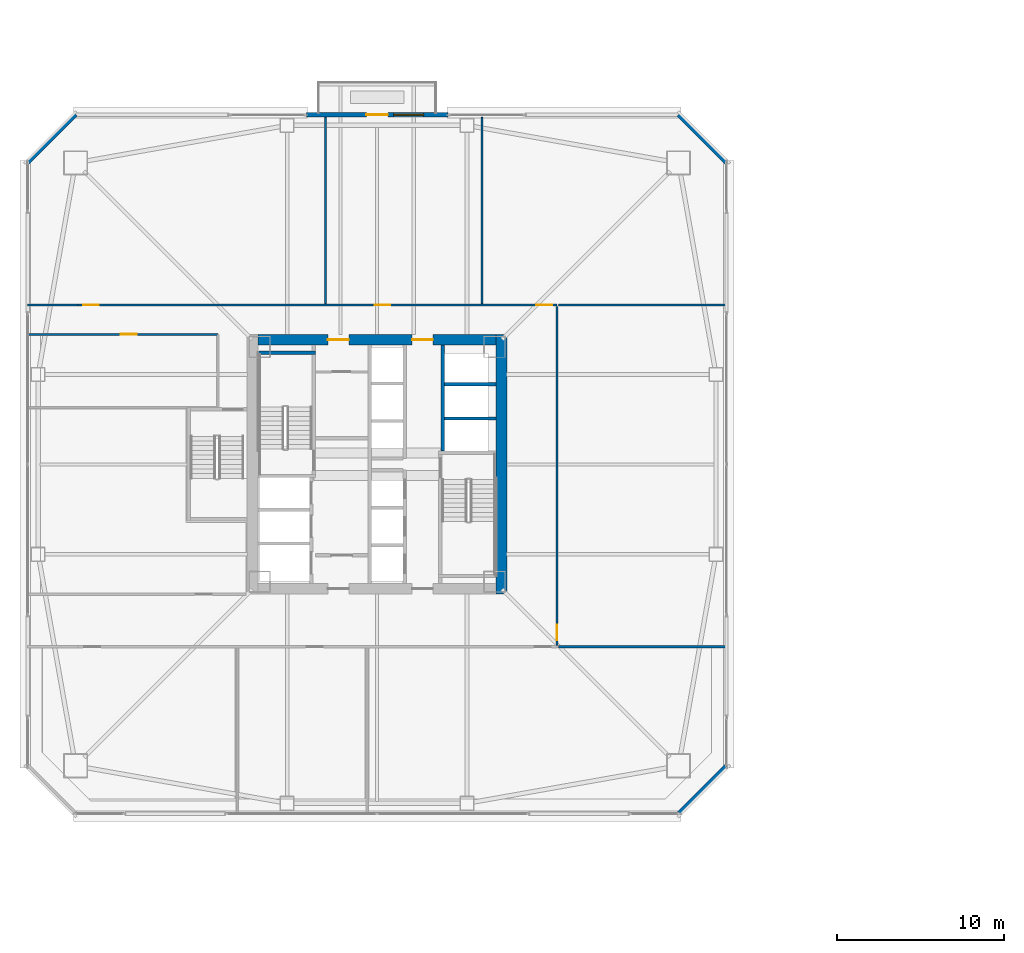
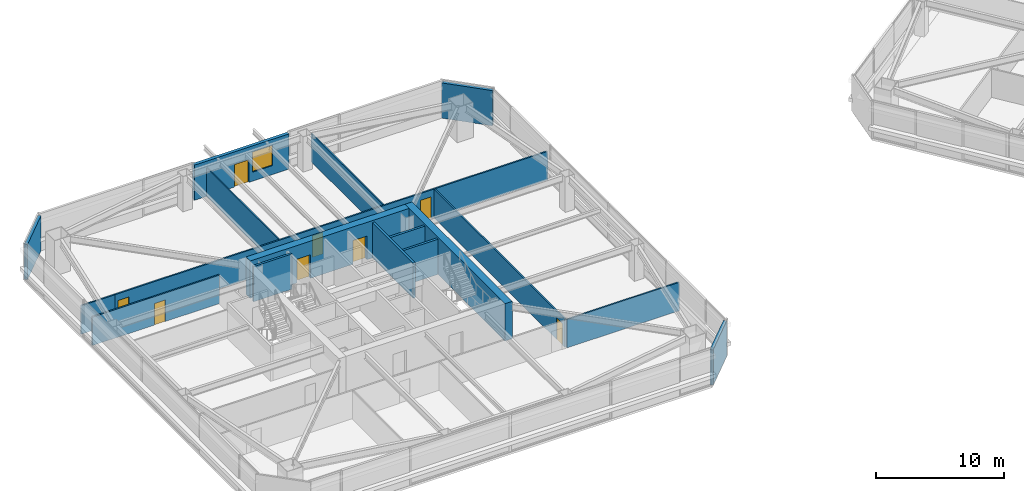
# One storey, part 39 of 48: 18 walls, 8 doors, 1 window, 9 openings.
"""IFC4 building model written with IfcOpenShell, lengths in metres."""

from ifc_helpers import new_model, si_unit, direction, frame, frame_2d, origin, place, context, subcontext, project, spatial, rectangle, extrude, material, layer, layer_set, type_object, element, fill, save


model = new_model("IFC4")

# Units and contexts
model_context = context("Model", 3, precision=1e-05, world=origin(), true_north=direction((0.0, 1.0)))
body_context = subcontext(model_context, "Body", "Model", "MODEL_VIEW")
ifc_project = project(units=[si_unit("LENGTHUNIT", "METRE"), si_unit("AREAUNIT", "SQUARE_METRE"), si_unit("VOLUMEUNIT", "CUBIC_METRE"), si_unit("PLANEANGLEUNIT", "RADIAN"), si_unit("MASSUNIT", "GRAM", prefix="KILO")], contexts=[model_context])

# Site, building, storey
site_placement = place(None, origin())
site = spatial("IfcSite", under=ifc_project, at=site_placement, CompositionType="ELEMENT")
building_placement = place(site_placement, origin())
building = spatial("IfcBuilding", under=site, at=building_placement, Name="Tashvorn Skyway Center", CompositionType="ELEMENT")
storey_placement = place(building_placement, frame((0.0, 0.0, 77.85009765625)))
storey = spatial("IfcBuildingStorey", under=building, at=storey_placement, Name="L20", CompositionType="ELEMENT", Elevation=77.85009765625)

# Wall
ifc_material_1 = material(Name="Concrete C60/75", Category="concrete")
ifc_layer_1 = layer(ifc_material_1, 0.64990234375)
ifc_layer_set_1 = layer_set([ifc_layer_1], Name="Concrete C60/75")
wall_type_1 = type_object("IfcWallType", Name="WALL-CORE-650", PredefinedType="SHEAR", material=ifc_layer_set_1)
wall_1_placement = place(storey_placement, frame((49.47509765625, 39.800048828125, 0.0), z_axis=(0.0, 0.0, 1.0), x_axis=(0.0, -1.0, 0.0)))
element("IfcWall", 1, at=wall_1_placement, inside=storey, type_object=wall_type_1, Name="Tower 1 L20 East Core Shear Wall", PredefinedType="SHEAR", context=body_context, shape_type="SweptSolid", body=[
    extrude(rectangle(XDim=15.60009765625, YDim=0.64990234375, at=frame_2d((7.800048828125, 0.0))), origin(), (0.0, 0.0, 1.0), 3.5498046875),
])

# Wall, openings, doors
wall_2_placement = place(storey_placement, frame((34.85009765625, 39.47509765625, 0.0), z_axis=(0.0, 0.0, 1.0), x_axis=(1.0, 0.0, 0.0)))
wall_2 = element("IfcWall", 2, at=wall_2_placement, inside=storey, type_object=wall_type_1, Name="Tower 1 L20 North Core Shear Wall", PredefinedType="SHEAR", context=body_context, shape_type="SweptSolid", body=[
    extrude(rectangle(XDim=14.2998046875, YDim=0.64990234375, at=frame_2d((7.14990234375, 0.0))), origin(), (0.0, 0.0, 1.0), 3.5498046875),
])
opening_1_placement = place(wall_2_placement, frame((4.199951171875, 0.0, 0.0)))
opening_1 = element("IfcOpeningElement", 3, at=opening_1_placement, cuts=wall_2, Name="Opening D-FFL-1250", PredefinedType="OPENING", context=body_context, shape_type="SweptSolid", body=[
    extrude(rectangle(XDim=1.25, YDim=2.25, at=frame_2d((0.625, 1.125))), frame((0.0, 0.3349609375, 0.0), z_axis=(0.0, -1.0, 0.0), x_axis=(1.0, 0.0, 0.0)), (0.0, 0.0, 1.0), 0.669921875),
])
opening_2_placement = place(wall_2_placement, frame((9.25, 0.0, 0.0)))
opening_2 = element("IfcOpeningElement", 4, at=opening_2_placement, cuts=wall_2, Name="Opening D-FFL-1250", PredefinedType="OPENING", context=body_context, shape_type="SweptSolid", body=[
    extrude(rectangle(XDim=1.25, YDim=2.25, at=frame_2d((0.625, 1.125))), frame((0.0, 0.3349609375, 0.0), z_axis=(0.0, -1.0, 0.0), x_axis=(1.0, 0.0, 0.0)), (0.0, 0.0, 1.0), 0.669921875),
])
ifc_material_2 = material(Name="Hollow galvanized steel fire door assembly", Category="steel")
door_type_1 = type_object("IfcDoorType", Name="DOOR-FFL-1250", OperationType="NOTDEFINED", PredefinedType="DOOR", material=ifc_material_2)
door_1_placement = place(opening_1_placement, origin())
door_1 = element("IfcDoor", 5, at=door_1_placement, inside=storey, type_object=door_type_1, Name="Tower 1 L20 Core North Service Lobby Door", OperationType="SINGLE_SWING_LEFT", OverallHeight=2.25, OverallWidth=1.25, PredefinedType="DOOR", context=body_context, shape_type="SweptSolid", body=[
    extrude(rectangle(XDim=1.25, YDim=2.25, at=frame_2d((0.625, 1.125))), frame((0.0, 0.02490234375, 0.0), z_axis=(0.0, -1.0, 0.0), x_axis=(1.0, 0.0, 0.0)), (0.0, 0.0, 1.0), 0.050048828125),
])
fill(opening_1, door_1)
door_2_placement = place(opening_2_placement, origin())
door_2 = element("IfcDoor", 6, at=door_2_placement, inside=storey, type_object=door_type_1, Name="Tower 1 L20 Core North Lift Lobby Door", OperationType="SINGLE_SWING_RIGHT", OverallHeight=2.25, OverallWidth=1.25, PredefinedType="DOOR", context=body_context, shape_type="SweptSolid", body=[
    extrude(rectangle(XDim=1.25, YDim=2.25, at=frame_2d((0.625, 1.125))), frame((0.0, 0.02490234375, 0.0), z_axis=(0.0, -1.0, 0.0), x_axis=(1.0, 0.0, 0.0)), (0.0, 0.0, 1.0), 0.050048828125),
])
fill(opening_2, door_2)

# Wall, openings, door, window
ifc_material_3 = material(Name="Precast concrete C40/50", Category="concrete")
ifc_layer_2 = layer(ifc_material_3, 0.280029296875)
ifc_layer_set_2 = layer_set([ifc_layer_2], Name="Precast concrete C40/50")
wall_type_2 = type_object("IfcWallType", Name="WALL-EXT-280", PredefinedType="SOLIDWALL", material=ifc_layer_set_2)
wall_3_placement = place(storey_placement, frame((37.75, 52.97998046875, 0.0), z_axis=(0.0, 0.0, 1.0), x_axis=(1.0, 0.0, 0.0)))
wall_3 = element("IfcWall", 7, at=wall_3_placement, inside=storey, type_object=wall_type_2, Name="Tower 1 L20 North Terrace Portal Wall", PredefinedType="SOLIDWALL", context=body_context, shape_type="SweptSolid", body=[
    extrude(rectangle(XDim=8.5, YDim=0.280029296875, at=frame_2d((4.25, 0.0))), origin(), (0.0, 0.0, 1.0), 3.349853515625),
])
opening_3_placement = place(wall_3_placement, frame((3.60009765625, 0.0, 0.0)))
opening_3 = element("IfcOpeningElement", 8, at=opening_3_placement, cuts=wall_3, Name="Opening D-TER-1300", PredefinedType="OPENING", context=body_context, shape_type="SweptSolid", body=[
    extrude(rectangle(XDim=1.300048828125, YDim=2.14990234375, at=frame_2d((0.64990234375, 1.074951171875))), frame((0.0, 0.14990234375, 0.0), z_axis=(0.0, -1.0, 0.0), x_axis=(1.0, 0.0, 0.0)), (0.0, 0.0, 1.0), 0.300048828125),
])
opening_4_placement = place(wall_3_placement, frame((5.239990234375, 0.0, 0.85009765625)))
opening_4 = element("IfcOpeningElement", 9, at=opening_4_placement, cuts=wall_3, Name="Opening WIN-1800", PredefinedType="OPENING", context=body_context, shape_type="SweptSolid", body=[
    extrude(rectangle(XDim=1.800048828125, YDim=1.919921875, at=frame_2d((0.89990234375, 0.9599609375))), frame((0.0, 0.14990234375, 0.0), z_axis=(0.0, -1.0, 0.0), x_axis=(1.0, 0.0, 0.0)), (0.0, 0.0, 1.0), 0.300048828125),
])
ifc_material_4 = material(Name="Thermally broken bronze-anodized aluminium 6063-T6", Category="aluminium")
door_type_2 = type_object("IfcDoorType", Name="DOOR-TERR-1300", OperationType="NOTDEFINED", PredefinedType="DOOR", material=ifc_material_4)
door_3_placement = place(opening_3_placement, origin())
door_3 = element("IfcDoor", 10, at=door_3_placement, inside=storey, type_object=door_type_2, Name="Tower 1 L20 Terrace Access Door", OperationType="SINGLE_SWING_RIGHT", OverallHeight=2.14990234375, OverallWidth=1.300048828125, PredefinedType="DOOR", context=body_context, shape_type="SweptSolid", body=[
    extrude(rectangle(XDim=1.300048828125, YDim=2.14990234375, at=frame_2d((0.64990234375, 1.074951171875))), frame((0.0, 0.02490234375, 0.0), z_axis=(0.0, -1.0, 0.0), x_axis=(1.0, 0.0, 0.0)), (0.0, 0.0, 1.0), 0.050048828125),
])
fill(opening_3, door_3)
ifc_material_5 = material(Name="Low-E solar-control double insulating safety glass", Category="glass")
window_type = type_object("IfcWindowType", Name="WIN-TERR-1800", PartitioningType="SINGLE_PANEL", PredefinedType="WINDOW", material=ifc_material_5)
window_placement = place(opening_4_placement, origin())
window = element("IfcWindow", 11, at=window_placement, inside=storey, type_object=window_type, Name="Tower 1 L20 Terrace Window", OverallHeight=1.919921875, OverallWidth=1.800048828125, PartitioningType="SINGLE_PANEL", PredefinedType="WINDOW", context=body_context, shape_type="SweptSolid", body=[
    extrude(rectangle(XDim=1.800048828125, YDim=1.919921875, at=frame_2d((0.89990234375, 0.9599609375))), frame((0.0, 0.030029296875, 0.0), z_axis=(0.0, -1.0, 0.0), x_axis=(1.0, 0.0, 0.0)), (0.0, 0.0, 1.0), 0.06005859375),
])
fill(opening_4, window)

# Walls
for number, where, z_axis, x_axis, name in (
    (12, (21.0, 50.10009765625, 0.0), (0.0, 0.0, 1.0), (0.707106781187, 0.707106781187, 0.0), "Tower 1 L20 NW Precast Chamfer Wall"),
    (13, (60.10009765625, 53.0, 0.0), (0.0, 0.0, 1.0), (0.707106781187, -0.707106781187, 0.0), "Tower 1 L20 NE Precast Chamfer Wall"),
    (14, (63.0, 13.89990234375, 0.0), (0.0, 0.0, 1.0), (-0.707106781187, -0.707106781187, 0.0), "Tower 1 L20 SE Precast Chamfer Wall"),
):
    element("IfcWall", number, at=place(storey_placement, frame(where, z_axis=z_axis, x_axis=x_axis)), inside=storey, type_object=wall_type_2, Name=name, PredefinedType="SOLIDWALL", context=body_context, shape_type="SweptSolid", body=[
        extrude(rectangle(XDim=4.10107421875, YDim=0.280029296875, at=frame_2d((2.050537109375, 0.0))), origin(), (0.0, 0.0, 1.0), 3.349853515625),
    ])
ifc_material_6 = material(Name="Gypsum board on cold-formed steel stud framing", Category="steel")
ifc_layer_3 = layer(ifc_material_6, 0.110107421875)
ifc_layer_set_3 = layer_set([ifc_layer_3], Name="Gypsum board on cold-formed steel stud framing")
wall_type_3 = type_object("IfcWallType", Name="WALL-PART-110", PredefinedType="PARTITIONING", material=ifc_layer_set_3)
for number, where, z_axis, x_axis, name in (
    (15, (38.89990234375, 41.64990234375, 0.0), (0.0, 0.0, 1.0), (0.0, 1.0, 0.0), "Tower 1 L20 North Suite Partition 1"),
    (16, (48.300048828125, 41.64990234375, 0.0), (0.0, 0.0, 1.0), (0.0, 1.0, 0.0), "Tower 1 L20 North Suite Partition 2"),
):
    element("IfcWall", number, at=place(storey_placement, frame(where, z_axis=z_axis, x_axis=x_axis)), inside=storey, type_object=wall_type_3, Name=name, PredefinedType="PARTITIONING", context=body_context, shape_type="SweptSolid", body=[
        extrude(rectangle(XDim=11.18017578125, YDim=0.110107421875, at=frame_2d((5.590087890625, 0.0))), origin(), (0.0, 0.0, 1.0), 2.702880859375),
    ])

# Wall, openings, doors
ifc_layer_4 = layer(ifc_material_6, 0.135009765625)
ifc_layer_set_4 = layer_set([ifc_layer_4], Name="Gypsum board on cold-formed steel stud framing")
wall_type_4 = type_object("IfcWallType", Name="WALL-PART-135", PredefinedType="PARTITIONING", material=ifc_layer_set_4)
wall_4_placement = place(storey_placement, frame((24.050048828125, 41.570068359375, 0.0), z_axis=(0.0, 0.0, 1.0), x_axis=(1.0, 0.0, 0.0)))
wall_4 = element("IfcWall", 17, at=wall_4_placement, inside=storey, type_object=wall_type_4, Name="Tower 1 L20 North Suite Wall", PredefinedType="PARTITIONING", context=body_context, shape_type="SweptSolid", body=[
    extrude(rectangle(XDim=28.75, YDim=0.135009765625, at=frame_2d((14.375, 0.0))), origin(), (0.0, 0.0, 1.0), 2.702880859375),
])
opening_5_placement = place(wall_4_placement, frame((0.300048828125, 0.0, 0.0)))
opening_5 = element("IfcOpeningElement", 18, at=opening_5_placement, cuts=wall_4, Name="Opening D-INT-950", PredefinedType="OPENING", context=body_context, shape_type="SweptSolid", body=[
    extrude(rectangle(XDim=0.949951171875, YDim=2.050048828125, at=frame_2d((0.47509765625, 1.02490234375))), frame((0.0, 0.077392578125, 0.0), z_axis=(0.0, -1.0, 0.0), x_axis=(1.0, 0.0, 0.0)), (0.0, 0.0, 1.0), 0.155029296875),
])
opening_6_placement = place(wall_4_placement, frame((17.793212890625, 0.0, 0.0)))
opening_6 = element("IfcOpeningElement", 19, at=opening_6_placement, cuts=wall_4, Name="Opening D-INT-950", PredefinedType="OPENING", context=body_context, shape_type="SweptSolid", body=[
    extrude(rectangle(XDim=0.949951171875, YDim=2.050048828125, at=frame_2d((0.47509765625, 1.02490234375))), frame((0.0, 0.077392578125, 0.0), z_axis=(0.0, -1.0, 0.0), x_axis=(1.0, 0.0, 0.0)), (0.0, 0.0, 1.0), 0.155029296875),
])
opening_7_placement = place(wall_4_placement, frame((27.5, 0.0, 0.0)))
opening_7 = element("IfcOpeningElement", 20, at=opening_7_placement, cuts=wall_4, Name="Opening D-INT-950", PredefinedType="OPENING", context=body_context, shape_type="SweptSolid", body=[
    extrude(rectangle(XDim=0.949951171875, YDim=2.050048828125, at=frame_2d((0.47509765625, 1.02490234375))), frame((0.0, 0.077392578125, 0.0), z_axis=(0.0, -1.0, 0.0), x_axis=(1.0, 0.0, 0.0)), (0.0, 0.0, 1.0), 0.155029296875),
])
ifc_material_7 = material(Name="Solid-core architectural oak veneer door")
door_type_3 = type_object("IfcDoorType", Name="DOOR-INT-950", OperationType="NOTDEFINED", PredefinedType="DOOR", material=ifc_material_7)
door_4_placement = place(opening_5_placement, origin())
door_4 = element("IfcDoor", 21, at=door_4_placement, inside=storey, type_object=door_type_3, Name="Tower 1 L20 Operations Control Room Door", OperationType="SINGLE_SWING_LEFT", OverallHeight=2.050048828125, OverallWidth=0.949951171875, PredefinedType="DOOR", context=body_context, shape_type="SweptSolid", body=[
    extrude(rectangle(XDim=0.949951171875, YDim=2.050048828125, at=frame_2d((0.47509765625, 1.02490234375))), frame((0.0, 0.02490234375, 0.0), z_axis=(0.0, -1.0, 0.0), x_axis=(1.0, 0.0, 0.0)), (0.0, 0.0, 1.0), 0.050048828125),
])
fill(opening_5, door_4)
door_5_placement = place(opening_6_placement, origin())
door_5 = element("IfcDoor", 22, at=door_5_placement, inside=storey, type_object=door_type_3, Name="Tower 1 L20 Operations Control Room Door", OperationType="SINGLE_SWING_RIGHT", OverallHeight=2.050048828125, OverallWidth=0.949951171875, PredefinedType="DOOR", context=body_context, shape_type="SweptSolid", body=[
    extrude(rectangle(XDim=0.949951171875, YDim=2.050048828125, at=frame_2d((0.47509765625, 1.02490234375))), frame((0.0, 0.02490234375, 0.0), z_axis=(0.0, -1.0, 0.0), x_axis=(1.0, 0.0, 0.0)), (0.0, 0.0, 1.0), 0.050048828125),
])
fill(opening_6, door_5)
door_6_placement = place(opening_7_placement, origin())
door_6 = element("IfcDoor", 23, at=door_6_placement, inside=storey, type_object=door_type_3, Name="Tower 1 L20 Corporate Office Door", OperationType="SINGLE_SWING_LEFT", OverallHeight=2.050048828125, OverallWidth=0.949951171875, PredefinedType="DOOR", context=body_context, shape_type="SweptSolid", body=[
    extrude(rectangle(XDim=0.949951171875, YDim=2.050048828125, at=frame_2d((0.47509765625, 1.02490234375))), frame((0.0, 0.02490234375, 0.0), z_axis=(0.0, -1.0, 0.0), x_axis=(1.0, 0.0, 0.0)), (0.0, 0.0, 1.0), 0.050048828125),
])
fill(opening_7, door_6)

# Wall
wall_5_placement = place(storey_placement, frame((21.02001953125, 41.570068359375, 0.0), z_axis=(0.0, 0.0, 1.0), x_axis=(1.0, 0.0, 0.0)))
element("IfcWall", 24, at=wall_5_placement, inside=storey, type_object=wall_type_4, Name="Tower 1 L20 North-West Suite South Wall", PredefinedType="PARTITIONING", context=body_context, shape_type="SweptSolid", body=[
    extrude(rectangle(XDim=3.030029296875, YDim=0.135009765625, at=frame_2d((1.51513671875, 0.0))), origin(), (0.0, 0.0, 1.0), 2.702880859375),
])

# Wall, opening, door
wall_6_placement = place(storey_placement, frame((52.800048828125, 41.489990234375, 0.0), z_axis=(0.0, 0.0, 1.0), x_axis=(0.0, -1.0, 0.0)))
wall_6 = element("IfcWall", 25, at=wall_6_placement, inside=storey, type_object=wall_type_4, Name="Tower 1 L20 East Inner Suite Wall", PredefinedType="PARTITIONING", context=body_context, shape_type="SweptSolid", body=[
    extrude(rectangle(XDim=20.360107421875, YDim=0.135009765625, at=frame_2d((10.18017578125, 0.0))), origin(), (0.0, 0.0, 1.0), 2.702880859375),
])
opening_8_placement = place(wall_6_placement, frame((19.110107421875, 0.0, 0.0)))
opening_8 = element("IfcOpeningElement", 26, at=opening_8_placement, cuts=wall_6, Name="Opening D-INT-950", PredefinedType="OPENING", context=body_context, shape_type="SweptSolid", body=[
    extrude(rectangle(XDim=0.949951171875, YDim=2.050048828125, at=frame_2d((0.47509765625, 1.02490234375))), frame((0.0, 0.077392578125, 0.0), z_axis=(0.0, -1.0, 0.0), x_axis=(1.0, 0.0, 0.0)), (0.0, 0.0, 1.0), 0.155029296875),
])
door_7_placement = place(opening_8_placement, origin())
door_7 = element("IfcDoor", 27, at=door_7_placement, inside=storey, type_object=door_type_3, Name="Tower 1 L20 Wellness Clinic Door", OperationType="SINGLE_SWING_LEFT", OverallHeight=2.050048828125, OverallWidth=0.949951171875, PredefinedType="DOOR", context=body_context, shape_type="SweptSolid", body=[
    extrude(rectangle(XDim=0.949951171875, YDim=2.050048828125, at=frame_2d((0.47509765625, 1.02490234375))), frame((0.0, 0.02490234375, 0.0), z_axis=(0.0, -1.0, 0.0), x_axis=(1.0, 0.0, 0.0)), (0.0, 0.0, 1.0), 0.050048828125),
])
fill(opening_8, door_7)

# Walls
for number, where, z_axis, x_axis, name in (
    (28, (62.97998046875, 41.570068359375, 0.0), (0.0, 0.0, 1.0), (-1.0, 0.0, 0.0), "Tower 1 L20 East Suite North Wall"),
    (29, (52.8798828125, 21.050048828125, 0.0), (0.0, 0.0, 1.0), (1.0, 0.0, 0.0), "Tower 1 L20 East Suite South Wall"),
):
    element("IfcWall", number, at=place(storey_placement, frame(where, z_axis=z_axis, x_axis=x_axis)), inside=storey, type_object=wall_type_4, Name=name, PredefinedType="PARTITIONING", context=body_context, shape_type="SweptSolid", body=[
        extrude(rectangle(XDim=10.10009765625, YDim=0.135009765625, at=frame_2d((5.050048828125, 0.0))), origin(), (0.0, 0.0, 1.0), 2.702880859375),
    ])

# Wall, opening, door
wall_7_placement = place(storey_placement, frame((32.449951171875, 39.800048828125, 0.0), z_axis=(0.0, 0.0, 1.0), x_axis=(-1.0, 0.0, 0.0)))
wall_7 = element("IfcWall", 30, at=wall_7_placement, inside=storey, type_object=wall_type_4, Name="Tower 1 L20 West Suite North Wall", PredefinedType="PARTITIONING", context=body_context, shape_type="SweptSolid", body=[
    extrude(rectangle(XDim=11.429931640625, YDim=0.135009765625, at=frame_2d((5.71484375, 0.0))), origin(), (0.0, 0.0, 1.0), 2.702880859375),
])
opening_9_placement = place(wall_7_placement, frame((4.889892578125, 0.0, 0.0)))
opening_9 = element("IfcOpeningElement", 31, at=opening_9_placement, cuts=wall_7, Name="Opening D-INT-950", PredefinedType="OPENING", context=body_context, shape_type="SweptSolid", body=[
    extrude(rectangle(XDim=0.949951171875, YDim=2.050048828125, at=frame_2d((0.47509765625, 1.02490234375))), frame((0.0, 0.077392578125, 0.0), z_axis=(0.0, -1.0, 0.0), x_axis=(1.0, 0.0, 0.0)), (0.0, 0.0, 1.0), 0.155029296875),
])
door_8_placement = place(opening_9_placement, origin())
door_8 = element("IfcDoor", 32, at=door_8_placement, inside=storey, type_object=door_type_3, Name="Tower 1 L20 Boardroom Door", OperationType="SINGLE_SWING_RIGHT", OverallHeight=2.050048828125, OverallWidth=0.949951171875, PredefinedType="DOOR", context=body_context, shape_type="SweptSolid", body=[
    extrude(rectangle(XDim=0.949951171875, YDim=2.050048828125, at=frame_2d((0.47509765625, 1.02490234375))), frame((0.0, 0.02490234375, 0.0), z_axis=(0.0, -1.0, 0.0), x_axis=(1.0, 0.0, 0.0)), (0.0, 0.0, 1.0), 0.050048828125),
])
fill(opening_9, door_8)

# Walls
ifc_material_8 = material(Name="Concrete C40/50", Category="concrete")
ifc_layer_5 = layer(ifc_material_8, 0.199951171875)
ifc_layer_set_5 = layer_set([ifc_layer_5], Name="Concrete C40/50")
wall_type_5 = type_object("IfcWallType", Name="WALL-SHAFT-200", PredefinedType="SOLIDWALL", material=ifc_layer_set_5)
for number, where, z_axis, x_axis, name in (
    (33, (46.050048828125, 34.75, 0.0), (0.0, 0.0, 1.0), (1.0, 0.0, 0.0), "Tower 1 L20 High-Rise Shaft Divider"),
    (34, (46.050048828125, 36.800048828125, 0.0), (0.0, 0.0, 1.0), (1.0, 0.0, 0.0), "Tower 1 L20 High-Rise Shaft Divider"),
):
    element("IfcWall", number, at=place(storey_placement, frame(where, z_axis=z_axis, x_axis=x_axis)), inside=storey, type_object=wall_type_5, Name=name, PredefinedType="SOLIDWALL", context=body_context, shape_type="SweptSolid", body=[
        extrude(rectangle(XDim=3.099853515625, YDim=0.199951171875, at=frame_2d((1.5498046875, 0.0))), origin(), (0.0, 0.0, 1.0), 3.349853515625),
    ])
ifc_layer_6 = layer(ifc_material_8, 0.199951171875)
ifc_layer_set_6 = layer_set([ifc_layer_6], Name="Concrete C40/50")
wall_type_6 = type_object("IfcWallType", Name="WALL-STSHF-200", PredefinedType="SHEAR", material=ifc_layer_set_6)
wall_8_placement = place(storey_placement, frame((34.85009765625, 38.699951171875, 0.0), z_axis=(0.0, 0.0, 1.0), x_axis=(1.0, 0.0, 0.0)))
element("IfcWall", 35, at=wall_8_placement, inside=storey, type_object=wall_type_6, Name="Tower 1 L20 Stair 1 North Wall", PredefinedType="SHEAR", context=body_context, shape_type="SweptSolid", body=[
    extrude(rectangle(XDim=3.449951171875, YDim=0.199951171875, at=frame_2d((1.72509765625, 0.0))), origin(), (0.0, 0.0, 1.0), 3.349853515625),
])
wall_9_placement = place(storey_placement, frame((45.949951171875, 39.14990234375, 0.0), z_axis=(0.0, 0.0, 1.0), x_axis=(0.0, -1.0, 0.0)))
element("IfcWall", 36, at=wall_9_placement, inside=storey, type_object=wall_type_6, Name="Tower 1 L20 High-Rise Lift Shaft Front Wall", PredefinedType="SHEAR", context=body_context, shape_type="SweptSolid", body=[
    extrude(rectangle(XDim=6.349853515625, YDim=0.199951171875, at=frame_2d((3.1748046875, 0.0))), origin(), (0.0, 0.0, 1.0), 3.349853515625),
])

save(model, "model.ifc")
